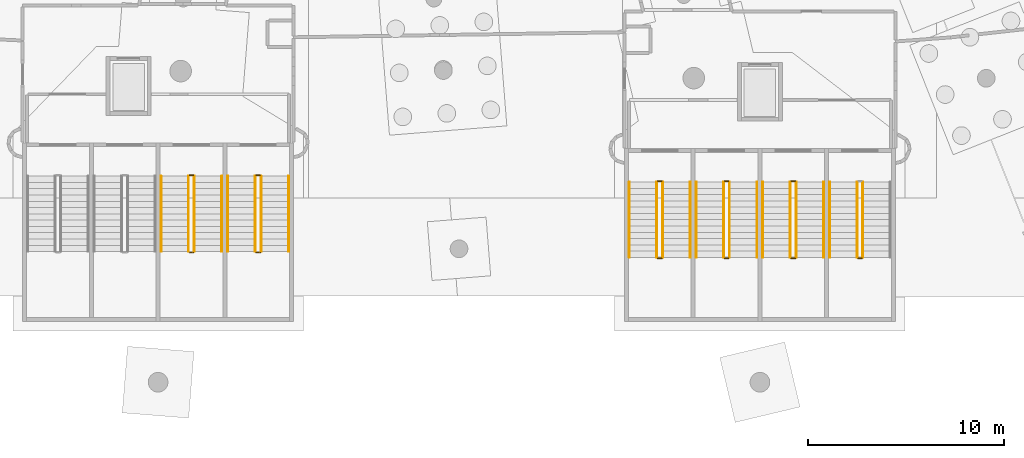
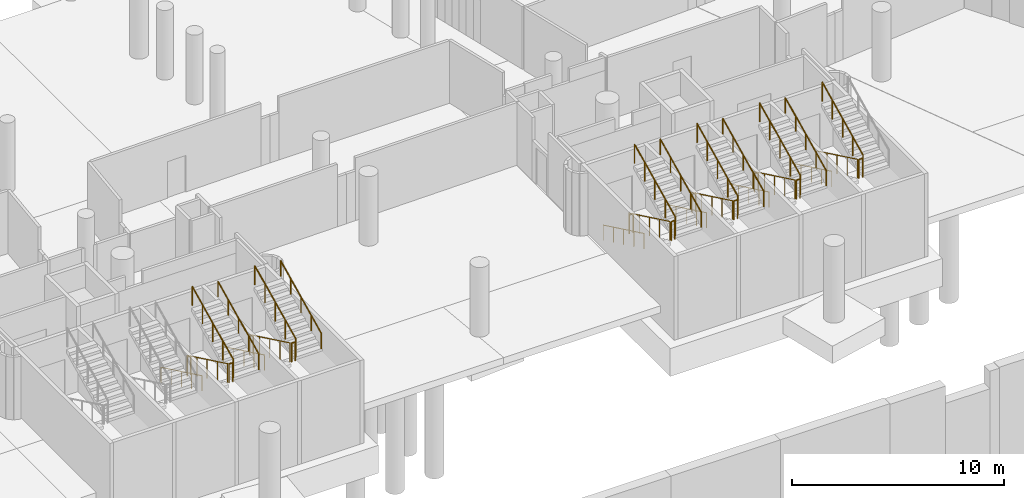
# One storey, part 118 of 142: 34 railings.
"""IFC4 building model written with IfcOpenShell, lengths in metres."""

from ifc_helpers import new_model, si_unit, direction, frame, origin, origin_2d, place, context, subcontext, project, spatial, circle, extrude, material, type_object, element, save


model = new_model("IFC4")

# Units and contexts
model_context = context("Model", 3, precision=1e-05, world=origin(), true_north=direction((0.0, 1.0)))
body_context = subcontext(model_context, "Body", "Model", "MODEL_VIEW")
ifc_project = project(units=[si_unit("LENGTHUNIT", "METRE"), si_unit("AREAUNIT", "SQUARE_METRE"), si_unit("VOLUMEUNIT", "CUBIC_METRE"), si_unit("PLANEANGLEUNIT", "RADIAN"), si_unit("MASSUNIT", "GRAM", prefix="KILO")], contexts=[model_context])

# Site, building, storey
site_placement = place(None, origin())
site = spatial("IfcSite", under=ifc_project, at=site_placement, CompositionType="ELEMENT")
building_placement = place(site_placement, origin())
building = spatial("IfcBuilding", under=site, at=building_placement, Name="Meseta Stadium", CompositionType="ELEMENT")
storey_placement = place(building_placement, frame((0.0, 0.0, -4.0)))
storey = spatial("IfcBuildingStorey", under=building, at=storey_placement, Name="B1", CompositionType="ELEMENT", Elevation=-4.0)

# Railings
ifc_material_1 = material(Name="Steel S355", Category="steel")
railing_type_1 = type_object("IfcRailingType", Name="Stair guard 1100", PredefinedType="GUARDRAIL", material=ifc_material_1)
railing_1_placement = place(storey_placement, frame((-6.11669921875, -94.89990234375, 0.15380859375)))
element("IfcRailing", 1, at=railing_1_placement, inside=storey, type_object=railing_type_1, Name="ST95 B1 guard 1", PredefinedType="GUARDRAIL", context=body_context, shape_type="SweptSolid", body=[
    extrude(circle(Radius=0.02392578125, at=origin_2d()), frame((0.0, 0.0, 1.076171875), z_axis=(0.0, -0.901252854825, 0.433293539843), x_axis=(1.0, 0.0, 0.0)), (0.0, 0.0, 1.0), 4.2607421875),
    extrude(circle(Radius=0.02099609375, at=origin_2d()), origin(), (0.0, 0.0, 1.0), 1.052001953125),
    extrude(circle(Radius=0.02099609375, at=origin_2d()), frame((0.0, -0.9599609375, 0.46142578125)), (0.0, 0.0, 1.0), 1.052001953125),
    extrude(circle(Radius=0.02099609375, at=origin_2d()), frame((0.0, -1.919921875, 0.923095703125)), (0.0, 0.0, 1.0), 1.052001953125),
    extrude(circle(Radius=0.02099609375, at=origin_2d()), frame((0.0, -2.880126953125, 1.384765625)), (0.0, 0.0, 1.0), 1.052001953125),
    extrude(circle(Radius=0.02099609375, at=origin_2d()), frame((0.0, -3.840087890625, 1.84619140625)), (0.0, 0.0, 1.0), 1.052001953125),
])
railing_2_placement = place(storey_placement, frame((-6.066650390625, -98.7900390625, 2.0)))
element("IfcRailing", 2, at=railing_2_placement, inside=storey, type_object=railing_type_1, Name="ST95 B1 guard 2", PredefinedType="GUARDRAIL", context=body_context, shape_type="SweptSolid", body=[
    extrude(circle(Radius=0.02392578125, at=origin_2d()), frame((0.0, 0.0, 1.076171875), z_axis=(1.0, 0.0, 0.0), x_axis=(0.0, 1.0, 0.0)), (0.0, 0.0, 1.0), 0.199951171875),
    extrude(circle(Radius=0.02099609375, at=origin_2d()), origin(), (0.0, 0.0, 1.0), 1.052001953125),
    extrude(circle(Radius=0.02099609375, at=origin_2d()), frame((0.199951171875, 0.0, 0.0)), (0.0, 0.0, 1.0), 1.052001953125),
])
railing_3_placement = place(storey_placement, frame((-5.816650390625, -98.739990234375, 2.15380859375)))
element("IfcRailing", 3, at=railing_3_placement, inside=storey, type_object=railing_type_1, Name="ST95 B1 guard 3", PredefinedType="GUARDRAIL", context=body_context, shape_type="SweptSolid", body=[
    extrude(circle(Radius=0.02392578125, at=origin_2d()), frame((0.0, 0.0, 1.076171875), z_axis=(0.0, 0.901252854825, 0.433293539843), x_axis=(-1.0, 0.0, 0.0)), (0.0, 0.0, 1.0), 4.2607421875),
    extrude(circle(Radius=0.02099609375, at=origin_2d()), origin(), (0.0, 0.0, 1.0), 1.052001953125),
    extrude(circle(Radius=0.02099609375, at=origin_2d()), frame((0.0, 0.9599609375, 0.46142578125)), (0.0, 0.0, 1.0), 1.052001953125),
    extrude(circle(Radius=0.02099609375, at=origin_2d()), frame((0.0, 1.919921875, 0.923095703125)), (0.0, 0.0, 1.0), 1.052001953125),
    extrude(circle(Radius=0.02099609375, at=origin_2d()), frame((0.0, 2.880126953125, 1.384765625)), (0.0, 0.0, 1.0), 1.052001953125),
    extrude(circle(Radius=0.02099609375, at=origin_2d()), frame((0.0, 3.840087890625, 1.84619140625)), (0.0, 0.0, 1.0), 1.052001953125),
])
railing_4_placement = place(storey_placement, frame((-6.066650390625, -94.85009765625, 0.0)))
element("IfcRailing", 4, at=railing_4_placement, inside=storey, type_object=railing_type_1, Name="ST95 B1 guard 4", PredefinedType="GUARDRAIL", context=body_context, shape_type="SweptSolid", body=[
    extrude(circle(Radius=0.02392578125, at=origin_2d()), frame((0.0, 0.0, 1.076171875), z_axis=(1.0, 0.0, 0.0), x_axis=(0.0, 1.0, 0.0)), (0.0, 0.0, 1.0), 0.199951171875),
    extrude(circle(Radius=0.02099609375, at=origin_2d()), origin(), (0.0, 0.0, 1.0), 1.052001953125),
    extrude(circle(Radius=0.02099609375, at=origin_2d()), frame((0.199951171875, 0.0, 0.0)), (0.0, 0.0, 1.0), 1.052001953125),
])
railing_5_placement = place(storey_placement, frame((-2.716552734375, -94.89990234375, 0.15380859375)))
element("IfcRailing", 5, at=railing_5_placement, inside=storey, type_object=railing_type_1, Name="ST96 B1 guard 1", PredefinedType="GUARDRAIL", context=body_context, shape_type="SweptSolid", body=[
    extrude(circle(Radius=0.02392578125, at=origin_2d()), frame((0.0, 0.0, 1.076171875), z_axis=(0.0, -0.901252854825, 0.433293539843), x_axis=(1.0, 0.0, 0.0)), (0.0, 0.0, 1.0), 4.2607421875),
    extrude(circle(Radius=0.02099609375, at=origin_2d()), origin(), (0.0, 0.0, 1.0), 1.052001953125),
    extrude(circle(Radius=0.02099609375, at=origin_2d()), frame((0.0, -0.9599609375, 0.46142578125)), (0.0, 0.0, 1.0), 1.052001953125),
    extrude(circle(Radius=0.02099609375, at=origin_2d()), frame((0.0, -1.919921875, 0.923095703125)), (0.0, 0.0, 1.0), 1.052001953125),
    extrude(circle(Radius=0.02099609375, at=origin_2d()), frame((0.0, -2.880126953125, 1.384765625)), (0.0, 0.0, 1.0), 1.052001953125),
    extrude(circle(Radius=0.02099609375, at=origin_2d()), frame((0.0, -3.840087890625, 1.84619140625)), (0.0, 0.0, 1.0), 1.052001953125),
])
railing_6_placement = place(storey_placement, frame((-2.666748046875, -98.7900390625, 2.0)))
element("IfcRailing", 6, at=railing_6_placement, inside=storey, type_object=railing_type_1, Name="ST96 B1 guard 2", PredefinedType="GUARDRAIL", context=body_context, shape_type="SweptSolid", body=[
    extrude(circle(Radius=0.02392578125, at=origin_2d()), frame((0.0, 0.0, 1.076171875), z_axis=(1.0, 0.0, 0.0), x_axis=(0.0, 1.0, 0.0)), (0.0, 0.0, 1.0), 0.2001953125),
    extrude(circle(Radius=0.02099609375, at=origin_2d()), origin(), (0.0, 0.0, 1.0), 1.052001953125),
    extrude(circle(Radius=0.02099609375, at=origin_2d()), frame((0.2001953125, 0.0, 0.0)), (0.0, 0.0, 1.0), 1.052001953125),
])
railing_7_placement = place(storey_placement, frame((-2.416748046875, -98.739990234375, 2.15380859375)))
element("IfcRailing", 7, at=railing_7_placement, inside=storey, type_object=railing_type_1, Name="ST96 B1 guard 3", PredefinedType="GUARDRAIL", context=body_context, shape_type="SweptSolid", body=[
    extrude(circle(Radius=0.02392578125, at=origin_2d()), frame((0.0, 0.0, 1.076171875), z_axis=(0.0, 0.901252854825, 0.433293539843), x_axis=(-1.0, 0.0, 0.0)), (0.0, 0.0, 1.0), 4.2607421875),
    extrude(circle(Radius=0.02099609375, at=origin_2d()), origin(), (0.0, 0.0, 1.0), 1.052001953125),
    extrude(circle(Radius=0.02099609375, at=origin_2d()), frame((0.0, 0.9599609375, 0.46142578125)), (0.0, 0.0, 1.0), 1.052001953125),
    extrude(circle(Radius=0.02099609375, at=origin_2d()), frame((0.0, 1.919921875, 0.923095703125)), (0.0, 0.0, 1.0), 1.052001953125),
    extrude(circle(Radius=0.02099609375, at=origin_2d()), frame((0.0, 2.880126953125, 1.384765625)), (0.0, 0.0, 1.0), 1.052001953125),
    extrude(circle(Radius=0.02099609375, at=origin_2d()), frame((0.0, 3.840087890625, 1.84619140625)), (0.0, 0.0, 1.0), 1.052001953125),
])
railing_8_placement = place(storey_placement, frame((-2.666748046875, -94.85009765625, 0.0)))
element("IfcRailing", 8, at=railing_8_placement, inside=storey, type_object=railing_type_1, Name="ST96 B1 guard 4", PredefinedType="GUARDRAIL", context=body_context, shape_type="SweptSolid", body=[
    extrude(circle(Radius=0.02392578125, at=origin_2d()), frame((0.0, 0.0, 1.076171875), z_axis=(1.0, 0.0, 0.0), x_axis=(0.0, 1.0, 0.0)), (0.0, 0.0, 1.0), 0.2001953125),
    extrude(circle(Radius=0.02099609375, at=origin_2d()), origin(), (0.0, 0.0, 1.0), 1.052001953125),
    extrude(circle(Radius=0.02099609375, at=origin_2d()), frame((0.2001953125, 0.0, 0.0)), (0.0, 0.0, 1.0), 1.052001953125),
])
railing_9_placement = place(storey_placement, frame((17.75, -95.199951171875, 0.15380859375)))
element("IfcRailing", 9, at=railing_9_placement, inside=storey, type_object=railing_type_1, Name="ST97 B1 guard 1", PredefinedType="GUARDRAIL", context=body_context, shape_type="SweptSolid", body=[
    extrude(circle(Radius=0.02392578125, at=origin_2d()), frame((0.0, 0.0, 1.076171875), z_axis=(0.0, -0.901252854825, 0.433293539843), x_axis=(1.0, 0.0, 0.0)), (0.0, 0.0, 1.0), 4.2607421875),
    extrude(circle(Radius=0.02099609375, at=origin_2d()), origin(), (0.0, 0.0, 1.0), 1.052001953125),
    extrude(circle(Radius=0.02099609375, at=origin_2d()), frame((0.0, -0.9599609375, 0.46142578125)), (0.0, 0.0, 1.0), 1.052001953125),
    extrude(circle(Radius=0.02099609375, at=origin_2d()), frame((0.0, -1.919921875, 0.923095703125)), (0.0, 0.0, 1.0), 1.052001953125),
    extrude(circle(Radius=0.02099609375, at=origin_2d()), frame((0.0, -2.880126953125, 1.384765625)), (0.0, 0.0, 1.0), 1.052001953125),
    extrude(circle(Radius=0.02099609375, at=origin_2d()), frame((0.0, -3.840087890625, 1.84619140625)), (0.0, 0.0, 1.0), 1.052001953125),
])
railing_10_placement = place(storey_placement, frame((17.800048828125, -99.090087890625, 2.0)))
element("IfcRailing", 10, at=railing_10_placement, inside=storey, type_object=railing_type_1, Name="ST97 B1 guard 2", PredefinedType="GUARDRAIL", context=body_context, shape_type="SweptSolid", body=[
    extrude(circle(Radius=0.02392578125, at=origin_2d()), frame((0.0, 0.0, 1.076171875), z_axis=(1.0, 0.0, 0.0), x_axis=(0.0, 1.0, 0.0)), (0.0, 0.0, 1.0), 0.199951171875),
    extrude(circle(Radius=0.02099609375, at=origin_2d()), origin(), (0.0, 0.0, 1.0), 1.052001953125),
    extrude(circle(Radius=0.02099609375, at=origin_2d()), frame((0.199951171875, 0.0, 0.0)), (0.0, 0.0, 1.0), 1.052001953125),
])
railing_11_placement = place(storey_placement, frame((18.050048828125, -99.0400390625, 2.15380859375)))
element("IfcRailing", 11, at=railing_11_placement, inside=storey, type_object=railing_type_1, Name="ST97 B1 guard 3", PredefinedType="GUARDRAIL", context=body_context, shape_type="SweptSolid", body=[
    extrude(circle(Radius=0.02392578125, at=origin_2d()), frame((0.0, 0.0, 1.076171875), z_axis=(0.0, 0.901252854825, 0.433293539843), x_axis=(-1.0, 0.0, 0.0)), (0.0, 0.0, 1.0), 4.2607421875),
    extrude(circle(Radius=0.02099609375, at=origin_2d()), origin(), (0.0, 0.0, 1.0), 1.052001953125),
    extrude(circle(Radius=0.02099609375, at=origin_2d()), frame((0.0, 0.9599609375, 0.46142578125)), (0.0, 0.0, 1.0), 1.052001953125),
    extrude(circle(Radius=0.02099609375, at=origin_2d()), frame((0.0, 1.919921875, 0.923095703125)), (0.0, 0.0, 1.0), 1.052001953125),
    extrude(circle(Radius=0.02099609375, at=origin_2d()), frame((0.0, 2.880126953125, 1.384765625)), (0.0, 0.0, 1.0), 1.052001953125),
    extrude(circle(Radius=0.02099609375, at=origin_2d()), frame((0.0, 3.840087890625, 1.84619140625)), (0.0, 0.0, 1.0), 1.052001953125),
])
railing_12_placement = place(storey_placement, frame((17.800048828125, -95.14990234375, 0.0)))
element("IfcRailing", 12, at=railing_12_placement, inside=storey, type_object=railing_type_1, Name="ST97 B1 guard 4", PredefinedType="GUARDRAIL", context=body_context, shape_type="SweptSolid", body=[
    extrude(circle(Radius=0.02392578125, at=origin_2d()), frame((0.0, 0.0, 1.076171875), z_axis=(1.0, 0.0, 0.0), x_axis=(0.0, 1.0, 0.0)), (0.0, 0.0, 1.0), 0.199951171875),
    extrude(circle(Radius=0.02099609375, at=origin_2d()), origin(), (0.0, 0.0, 1.0), 1.052001953125),
    extrude(circle(Radius=0.02099609375, at=origin_2d()), frame((0.199951171875, 0.0, 0.0)), (0.0, 0.0, 1.0), 1.052001953125),
])
railing_13_placement = place(storey_placement, frame((21.14990234375, -95.199951171875, 0.15380859375)))
element("IfcRailing", 13, at=railing_13_placement, inside=storey, type_object=railing_type_1, Name="ST98 B1 guard 1", PredefinedType="GUARDRAIL", context=body_context, shape_type="SweptSolid", body=[
    extrude(circle(Radius=0.02392578125, at=origin_2d()), frame((0.0, 0.0, 1.076171875), z_axis=(0.0, -0.901252854825, 0.433293539843), x_axis=(1.0, 0.0, 0.0)), (0.0, 0.0, 1.0), 4.2607421875),
    extrude(circle(Radius=0.02099609375, at=origin_2d()), origin(), (0.0, 0.0, 1.0), 1.052001953125),
    extrude(circle(Radius=0.02099609375, at=origin_2d()), frame((0.0, -0.9599609375, 0.46142578125)), (0.0, 0.0, 1.0), 1.052001953125),
    extrude(circle(Radius=0.02099609375, at=origin_2d()), frame((0.0, -1.919921875, 0.923095703125)), (0.0, 0.0, 1.0), 1.052001953125),
    extrude(circle(Radius=0.02099609375, at=origin_2d()), frame((0.0, -2.880126953125, 1.384765625)), (0.0, 0.0, 1.0), 1.052001953125),
    extrude(circle(Radius=0.02099609375, at=origin_2d()), frame((0.0, -3.840087890625, 1.84619140625)), (0.0, 0.0, 1.0), 1.052001953125),
])
railing_14_placement = place(storey_placement, frame((21.199951171875, -99.090087890625, 2.0)))
element("IfcRailing", 14, at=railing_14_placement, inside=storey, type_object=railing_type_1, Name="ST98 B1 guard 2", PredefinedType="GUARDRAIL", context=body_context, shape_type="SweptSolid", body=[
    extrude(circle(Radius=0.02392578125, at=origin_2d()), frame((0.0, 0.0, 1.076171875), z_axis=(1.0, 0.0, 0.0), x_axis=(0.0, 1.0, 0.0)), (0.0, 0.0, 1.0), 0.199951171875),
    extrude(circle(Radius=0.02099609375, at=origin_2d()), origin(), (0.0, 0.0, 1.0), 1.052001953125),
    extrude(circle(Radius=0.02099609375, at=origin_2d()), frame((0.199951171875, 0.0, 0.0)), (0.0, 0.0, 1.0), 1.052001953125),
])
railing_15_placement = place(storey_placement, frame((21.449951171875, -99.0400390625, 2.15380859375)))
element("IfcRailing", 15, at=railing_15_placement, inside=storey, type_object=railing_type_1, Name="ST98 B1 guard 3", PredefinedType="GUARDRAIL", context=body_context, shape_type="SweptSolid", body=[
    extrude(circle(Radius=0.02392578125, at=origin_2d()), frame((0.0, 0.0, 1.076171875), z_axis=(0.0, 0.901252854825, 0.433293539843), x_axis=(-1.0, 0.0, 0.0)), (0.0, 0.0, 1.0), 4.2607421875),
    extrude(circle(Radius=0.02099609375, at=origin_2d()), origin(), (0.0, 0.0, 1.0), 1.052001953125),
    extrude(circle(Radius=0.02099609375, at=origin_2d()), frame((0.0, 0.9599609375, 0.46142578125)), (0.0, 0.0, 1.0), 1.052001953125),
    extrude(circle(Radius=0.02099609375, at=origin_2d()), frame((0.0, 1.919921875, 0.923095703125)), (0.0, 0.0, 1.0), 1.052001953125),
    extrude(circle(Radius=0.02099609375, at=origin_2d()), frame((0.0, 2.880126953125, 1.384765625)), (0.0, 0.0, 1.0), 1.052001953125),
    extrude(circle(Radius=0.02099609375, at=origin_2d()), frame((0.0, 3.840087890625, 1.84619140625)), (0.0, 0.0, 1.0), 1.052001953125),
])
railing_16_placement = place(storey_placement, frame((21.199951171875, -95.14990234375, 0.0)))
element("IfcRailing", 16, at=railing_16_placement, inside=storey, type_object=railing_type_1, Name="ST98 B1 guard 4", PredefinedType="GUARDRAIL", context=body_context, shape_type="SweptSolid", body=[
    extrude(circle(Radius=0.02392578125, at=origin_2d()), frame((0.0, 0.0, 1.076171875), z_axis=(1.0, 0.0, 0.0), x_axis=(0.0, 1.0, 0.0)), (0.0, 0.0, 1.0), 0.199951171875),
    extrude(circle(Radius=0.02099609375, at=origin_2d()), origin(), (0.0, 0.0, 1.0), 1.052001953125),
    extrude(circle(Radius=0.02099609375, at=origin_2d()), frame((0.199951171875, 0.0, 0.0)), (0.0, 0.0, 1.0), 1.052001953125),
])
railing_17_placement = place(storey_placement, frame((24.550048828125, -95.199951171875, 0.15380859375)))
element("IfcRailing", 17, at=railing_17_placement, inside=storey, type_object=railing_type_1, Name="ST99 B1 guard 1", PredefinedType="GUARDRAIL", context=body_context, shape_type="SweptSolid", body=[
    extrude(circle(Radius=0.02392578125, at=origin_2d()), frame((0.0, 0.0, 1.076171875), z_axis=(0.0, -0.901252854825, 0.433293539843), x_axis=(1.0, 0.0, 0.0)), (0.0, 0.0, 1.0), 4.2607421875),
    extrude(circle(Radius=0.02099609375, at=origin_2d()), origin(), (0.0, 0.0, 1.0), 1.052001953125),
    extrude(circle(Radius=0.02099609375, at=origin_2d()), frame((0.0, -0.9599609375, 0.46142578125)), (0.0, 0.0, 1.0), 1.052001953125),
    extrude(circle(Radius=0.02099609375, at=origin_2d()), frame((0.0, -1.919921875, 0.923095703125)), (0.0, 0.0, 1.0), 1.052001953125),
    extrude(circle(Radius=0.02099609375, at=origin_2d()), frame((0.0, -2.880126953125, 1.384765625)), (0.0, 0.0, 1.0), 1.052001953125),
    extrude(circle(Radius=0.02099609375, at=origin_2d()), frame((0.0, -3.840087890625, 1.84619140625)), (0.0, 0.0, 1.0), 1.052001953125),
])
railing_18_placement = place(storey_placement, frame((24.60009765625, -99.090087890625, 2.0)))
element("IfcRailing", 18, at=railing_18_placement, inside=storey, type_object=railing_type_1, Name="ST99 B1 guard 2", PredefinedType="GUARDRAIL", context=body_context, shape_type="SweptSolid", body=[
    extrude(circle(Radius=0.02392578125, at=origin_2d()), frame((0.0, 0.0, 1.076171875), z_axis=(1.0, 0.0, 0.0), x_axis=(0.0, 1.0, 0.0)), (0.0, 0.0, 1.0), 0.199951171875),
    extrude(circle(Radius=0.02099609375, at=origin_2d()), origin(), (0.0, 0.0, 1.0), 1.052001953125),
    extrude(circle(Radius=0.02099609375, at=origin_2d()), frame((0.199951171875, 0.0, 0.0)), (0.0, 0.0, 1.0), 1.052001953125),
])
railing_19_placement = place(storey_placement, frame((24.85009765625, -99.0400390625, 2.15380859375)))
element("IfcRailing", 19, at=railing_19_placement, inside=storey, type_object=railing_type_1, Name="ST99 B1 guard 3", PredefinedType="GUARDRAIL", context=body_context, shape_type="SweptSolid", body=[
    extrude(circle(Radius=0.02392578125, at=origin_2d()), frame((0.0, 0.0, 1.076171875), z_axis=(0.0, 0.901252854825, 0.433293539843), x_axis=(-1.0, 0.0, 0.0)), (0.0, 0.0, 1.0), 4.2607421875),
    extrude(circle(Radius=0.02099609375, at=origin_2d()), origin(), (0.0, 0.0, 1.0), 1.052001953125),
    extrude(circle(Radius=0.02099609375, at=origin_2d()), frame((0.0, 0.9599609375, 0.46142578125)), (0.0, 0.0, 1.0), 1.052001953125),
    extrude(circle(Radius=0.02099609375, at=origin_2d()), frame((0.0, 1.919921875, 0.923095703125)), (0.0, 0.0, 1.0), 1.052001953125),
    extrude(circle(Radius=0.02099609375, at=origin_2d()), frame((0.0, 2.880126953125, 1.384765625)), (0.0, 0.0, 1.0), 1.052001953125),
    extrude(circle(Radius=0.02099609375, at=origin_2d()), frame((0.0, 3.840087890625, 1.84619140625)), (0.0, 0.0, 1.0), 1.052001953125),
])
railing_20_placement = place(storey_placement, frame((24.60009765625, -95.14990234375, 0.0)))
element("IfcRailing", 20, at=railing_20_placement, inside=storey, type_object=railing_type_1, Name="ST99 B1 guard 4", PredefinedType="GUARDRAIL", context=body_context, shape_type="SweptSolid", body=[
    extrude(circle(Radius=0.02392578125, at=origin_2d()), frame((0.0, 0.0, 1.076171875), z_axis=(1.0, 0.0, 0.0), x_axis=(0.0, 1.0, 0.0)), (0.0, 0.0, 1.0), 0.199951171875),
    extrude(circle(Radius=0.02099609375, at=origin_2d()), origin(), (0.0, 0.0, 1.0), 1.052001953125),
    extrude(circle(Radius=0.02099609375, at=origin_2d()), frame((0.199951171875, 0.0, 0.0)), (0.0, 0.0, 1.0), 1.052001953125),
])
railing_21_placement = place(storey_placement, frame((27.949951171875, -95.199951171875, 0.15380859375)))
element("IfcRailing", 21, at=railing_21_placement, inside=storey, type_object=railing_type_1, Name="ST100 B1 guard 1", PredefinedType="GUARDRAIL", context=body_context, shape_type="SweptSolid", body=[
    extrude(circle(Radius=0.02392578125, at=origin_2d()), frame((0.0, 0.0, 1.076171875), z_axis=(0.0, -0.901252854825, 0.433293539843), x_axis=(1.0, 0.0, 0.0)), (0.0, 0.0, 1.0), 4.2607421875),
    extrude(circle(Radius=0.02099609375, at=origin_2d()), origin(), (0.0, 0.0, 1.0), 1.052001953125),
    extrude(circle(Radius=0.02099609375, at=origin_2d()), frame((0.0, -0.9599609375, 0.46142578125)), (0.0, 0.0, 1.0), 1.052001953125),
    extrude(circle(Radius=0.02099609375, at=origin_2d()), frame((0.0, -1.919921875, 0.923095703125)), (0.0, 0.0, 1.0), 1.052001953125),
    extrude(circle(Radius=0.02099609375, at=origin_2d()), frame((0.0, -2.880126953125, 1.384765625)), (0.0, 0.0, 1.0), 1.052001953125),
    extrude(circle(Radius=0.02099609375, at=origin_2d()), frame((0.0, -3.840087890625, 1.84619140625)), (0.0, 0.0, 1.0), 1.052001953125),
])
railing_22_placement = place(storey_placement, frame((28.0, -99.090087890625, 2.0)))
element("IfcRailing", 22, at=railing_22_placement, inside=storey, type_object=railing_type_1, Name="ST100 B1 guard 2", PredefinedType="GUARDRAIL", context=body_context, shape_type="SweptSolid", body=[
    extrude(circle(Radius=0.02392578125, at=origin_2d()), frame((0.0, 0.0, 1.076171875), z_axis=(1.0, 0.0, 0.0), x_axis=(0.0, 1.0, 0.0)), (0.0, 0.0, 1.0), 0.199951171875),
    extrude(circle(Radius=0.02099609375, at=origin_2d()), origin(), (0.0, 0.0, 1.0), 1.052001953125),
    extrude(circle(Radius=0.02099609375, at=origin_2d()), frame((0.199951171875, 0.0, 0.0)), (0.0, 0.0, 1.0), 1.052001953125),
])
railing_23_placement = place(storey_placement, frame((28.25, -99.0400390625, 2.15380859375)))
element("IfcRailing", 23, at=railing_23_placement, inside=storey, type_object=railing_type_1, Name="ST100 B1 guard 3", PredefinedType="GUARDRAIL", context=body_context, shape_type="SweptSolid", body=[
    extrude(circle(Radius=0.02392578125, at=origin_2d()), frame((0.0, 0.0, 1.076171875), z_axis=(0.0, 0.901252854825, 0.433293539843), x_axis=(-1.0, 0.0, 0.0)), (0.0, 0.0, 1.0), 4.2607421875),
    extrude(circle(Radius=0.02099609375, at=origin_2d()), origin(), (0.0, 0.0, 1.0), 1.052001953125),
    extrude(circle(Radius=0.02099609375, at=origin_2d()), frame((0.0, 0.9599609375, 0.46142578125)), (0.0, 0.0, 1.0), 1.052001953125),
    extrude(circle(Radius=0.02099609375, at=origin_2d()), frame((0.0, 1.919921875, 0.923095703125)), (0.0, 0.0, 1.0), 1.052001953125),
    extrude(circle(Radius=0.02099609375, at=origin_2d()), frame((0.0, 2.880126953125, 1.384765625)), (0.0, 0.0, 1.0), 1.052001953125),
    extrude(circle(Radius=0.02099609375, at=origin_2d()), frame((0.0, 3.840087890625, 1.84619140625)), (0.0, 0.0, 1.0), 1.052001953125),
])
ifc_material_2 = material(Name="Steel S355", Category="steel")
railing_type_2 = type_object("IfcRailingType", Name="Stair handrail 900", PredefinedType="HANDRAIL", material=ifc_material_2)
railing_24_placement = place(storey_placement, frame((-7.5166015625, -94.89990234375, 0.15380859375)))
element("IfcRailing", 24, at=railing_24_placement, inside=storey, type_object=railing_type_2, Name="ST95 B1 handrail 1", PredefinedType="HANDRAIL", context=body_context, shape_type="SweptSolid", body=[
    extrude(circle(Radius=0.02392578125, at=origin_2d()), frame((0.0, 0.0, 0.8759765625), z_axis=(0.0, -0.901252854825, 0.433293539843), x_axis=(1.0, 0.0, 0.0)), (0.0, 0.0, 1.0), 4.2607421875),
    extrude(circle(Radius=0.02099609375, at=origin_2d()), origin(), (0.0, 0.0, 1.0), 0.851806640625),
    extrude(circle(Radius=0.02099609375, at=origin_2d()), frame((0.0, -0.9599609375, 0.46142578125)), (0.0, 0.0, 1.0), 0.851806640625),
    extrude(circle(Radius=0.02099609375, at=origin_2d()), frame((0.0, -1.919921875, 0.923095703125)), (0.0, 0.0, 1.0), 0.851806640625),
    extrude(circle(Radius=0.02099609375, at=origin_2d()), frame((0.0, -2.880126953125, 1.384765625)), (0.0, 0.0, 1.0), 0.851806640625),
    extrude(circle(Radius=0.02099609375, at=origin_2d()), frame((0.0, -3.840087890625, 1.84619140625)), (0.0, 0.0, 1.0), 0.851806640625),
])
railing_25_placement = place(storey_placement, frame((-4.416748046875, -98.739990234375, 2.15380859375)))
element("IfcRailing", 25, at=railing_25_placement, inside=storey, type_object=railing_type_2, Name="ST95 B1 handrail 2", PredefinedType="HANDRAIL", context=body_context, shape_type="SweptSolid", body=[
    extrude(circle(Radius=0.02392578125, at=origin_2d()), frame((0.0, 0.0, 0.8759765625), z_axis=(0.0, 0.901252854825, 0.433293539843), x_axis=(-1.0, 0.0, 0.0)), (0.0, 0.0, 1.0), 4.2607421875),
    extrude(circle(Radius=0.02099609375, at=origin_2d()), origin(), (0.0, 0.0, 1.0), 0.851806640625),
    extrude(circle(Radius=0.02099609375, at=origin_2d()), frame((0.0, 0.9599609375, 0.46142578125)), (0.0, 0.0, 1.0), 0.851806640625),
    extrude(circle(Radius=0.02099609375, at=origin_2d()), frame((0.0, 1.919921875, 0.923095703125)), (0.0, 0.0, 1.0), 0.851806640625),
    extrude(circle(Radius=0.02099609375, at=origin_2d()), frame((0.0, 2.880126953125, 1.384765625)), (0.0, 0.0, 1.0), 0.851806640625),
    extrude(circle(Radius=0.02099609375, at=origin_2d()), frame((0.0, 3.840087890625, 1.84619140625)), (0.0, 0.0, 1.0), 0.851806640625),
])
railing_26_placement = place(storey_placement, frame((-4.11669921875, -94.89990234375, 0.15380859375)))
element("IfcRailing", 26, at=railing_26_placement, inside=storey, type_object=railing_type_2, Name="ST96 B1 handrail 1", PredefinedType="HANDRAIL", context=body_context, shape_type="SweptSolid", body=[
    extrude(circle(Radius=0.02392578125, at=origin_2d()), frame((0.0, 0.0, 0.8759765625), z_axis=(0.0, -0.901252854825, 0.433293539843), x_axis=(1.0, 0.0, 0.0)), (0.0, 0.0, 1.0), 4.2607421875),
    extrude(circle(Radius=0.02099609375, at=origin_2d()), origin(), (0.0, 0.0, 1.0), 0.851806640625),
    extrude(circle(Radius=0.02099609375, at=origin_2d()), frame((0.0, -0.9599609375, 0.46142578125)), (0.0, 0.0, 1.0), 0.851806640625),
    extrude(circle(Radius=0.02099609375, at=origin_2d()), frame((0.0, -1.919921875, 0.923095703125)), (0.0, 0.0, 1.0), 0.851806640625),
    extrude(circle(Radius=0.02099609375, at=origin_2d()), frame((0.0, -2.880126953125, 1.384765625)), (0.0, 0.0, 1.0), 0.851806640625),
    extrude(circle(Radius=0.02099609375, at=origin_2d()), frame((0.0, -3.840087890625, 1.84619140625)), (0.0, 0.0, 1.0), 0.851806640625),
])
railing_27_placement = place(storey_placement, frame((-1.0166015625, -98.739990234375, 2.15380859375)))
element("IfcRailing", 27, at=railing_27_placement, inside=storey, type_object=railing_type_2, Name="ST96 B1 handrail 2", PredefinedType="HANDRAIL", context=body_context, shape_type="SweptSolid", body=[
    extrude(circle(Radius=0.02392578125, at=origin_2d()), frame((0.0, 0.0, 0.8759765625), z_axis=(0.0, 0.901252854825, 0.433293539843), x_axis=(-1.0, 0.0, 0.0)), (0.0, 0.0, 1.0), 4.2607421875),
    extrude(circle(Radius=0.02099609375, at=origin_2d()), origin(), (0.0, 0.0, 1.0), 0.851806640625),
    extrude(circle(Radius=0.02099609375, at=origin_2d()), frame((0.0, 0.9599609375, 0.46142578125)), (0.0, 0.0, 1.0), 0.851806640625),
    extrude(circle(Radius=0.02099609375, at=origin_2d()), frame((0.0, 1.919921875, 0.923095703125)), (0.0, 0.0, 1.0), 0.851806640625),
    extrude(circle(Radius=0.02099609375, at=origin_2d()), frame((0.0, 2.880126953125, 1.384765625)), (0.0, 0.0, 1.0), 0.851806640625),
    extrude(circle(Radius=0.02099609375, at=origin_2d()), frame((0.0, 3.840087890625, 1.84619140625)), (0.0, 0.0, 1.0), 0.851806640625),
])
railing_28_placement = place(storey_placement, frame((16.35009765625, -95.199951171875, 0.15380859375)))
element("IfcRailing", 28, at=railing_28_placement, inside=storey, type_object=railing_type_2, Name="ST97 B1 handrail 1", PredefinedType="HANDRAIL", context=body_context, shape_type="SweptSolid", body=[
    extrude(circle(Radius=0.02392578125, at=origin_2d()), frame((0.0, 0.0, 0.8759765625), z_axis=(0.0, -0.901252854825, 0.433293539843), x_axis=(1.0, 0.0, 0.0)), (0.0, 0.0, 1.0), 4.2607421875),
    extrude(circle(Radius=0.02099609375, at=origin_2d()), origin(), (0.0, 0.0, 1.0), 0.851806640625),
    extrude(circle(Radius=0.02099609375, at=origin_2d()), frame((0.0, -0.9599609375, 0.46142578125)), (0.0, 0.0, 1.0), 0.851806640625),
    extrude(circle(Radius=0.02099609375, at=origin_2d()), frame((0.0, -1.919921875, 0.923095703125)), (0.0, 0.0, 1.0), 0.851806640625),
    extrude(circle(Radius=0.02099609375, at=origin_2d()), frame((0.0, -2.880126953125, 1.384765625)), (0.0, 0.0, 1.0), 0.851806640625),
    extrude(circle(Radius=0.02099609375, at=origin_2d()), frame((0.0, -3.840087890625, 1.84619140625)), (0.0, 0.0, 1.0), 0.851806640625),
])
railing_29_placement = place(storey_placement, frame((19.449951171875, -99.0400390625, 2.15380859375)))
element("IfcRailing", 29, at=railing_29_placement, inside=storey, type_object=railing_type_2, Name="ST97 B1 handrail 2", PredefinedType="HANDRAIL", context=body_context, shape_type="SweptSolid", body=[
    extrude(circle(Radius=0.02392578125, at=origin_2d()), frame((0.0, 0.0, 0.8759765625), z_axis=(0.0, 0.901252854825, 0.433293539843), x_axis=(-1.0, 0.0, 0.0)), (0.0, 0.0, 1.0), 4.2607421875),
    extrude(circle(Radius=0.02099609375, at=origin_2d()), origin(), (0.0, 0.0, 1.0), 0.851806640625),
    extrude(circle(Radius=0.02099609375, at=origin_2d()), frame((0.0, 0.9599609375, 0.46142578125)), (0.0, 0.0, 1.0), 0.851806640625),
    extrude(circle(Radius=0.02099609375, at=origin_2d()), frame((0.0, 1.919921875, 0.923095703125)), (0.0, 0.0, 1.0), 0.851806640625),
    extrude(circle(Radius=0.02099609375, at=origin_2d()), frame((0.0, 2.880126953125, 1.384765625)), (0.0, 0.0, 1.0), 0.851806640625),
    extrude(circle(Radius=0.02099609375, at=origin_2d()), frame((0.0, 3.840087890625, 1.84619140625)), (0.0, 0.0, 1.0), 0.851806640625),
])
railing_30_placement = place(storey_placement, frame((19.75, -95.199951171875, 0.15380859375)))
element("IfcRailing", 30, at=railing_30_placement, inside=storey, type_object=railing_type_2, Name="ST98 B1 handrail 1", PredefinedType="HANDRAIL", context=body_context, shape_type="SweptSolid", body=[
    extrude(circle(Radius=0.02392578125, at=origin_2d()), frame((0.0, 0.0, 0.8759765625), z_axis=(0.0, -0.901252854825, 0.433293539843), x_axis=(1.0, 0.0, 0.0)), (0.0, 0.0, 1.0), 4.2607421875),
    extrude(circle(Radius=0.02099609375, at=origin_2d()), origin(), (0.0, 0.0, 1.0), 0.851806640625),
    extrude(circle(Radius=0.02099609375, at=origin_2d()), frame((0.0, -0.9599609375, 0.46142578125)), (0.0, 0.0, 1.0), 0.851806640625),
    extrude(circle(Radius=0.02099609375, at=origin_2d()), frame((0.0, -1.919921875, 0.923095703125)), (0.0, 0.0, 1.0), 0.851806640625),
    extrude(circle(Radius=0.02099609375, at=origin_2d()), frame((0.0, -2.880126953125, 1.384765625)), (0.0, 0.0, 1.0), 0.851806640625),
    extrude(circle(Radius=0.02099609375, at=origin_2d()), frame((0.0, -3.840087890625, 1.84619140625)), (0.0, 0.0, 1.0), 0.851806640625),
])
railing_31_placement = place(storey_placement, frame((22.85009765625, -99.0400390625, 2.15380859375)))
element("IfcRailing", 31, at=railing_31_placement, inside=storey, type_object=railing_type_2, Name="ST98 B1 handrail 2", PredefinedType="HANDRAIL", context=body_context, shape_type="SweptSolid", body=[
    extrude(circle(Radius=0.02392578125, at=origin_2d()), frame((0.0, 0.0, 0.8759765625), z_axis=(0.0, 0.901252854825, 0.433293539843), x_axis=(-1.0, 0.0, 0.0)), (0.0, 0.0, 1.0), 4.2607421875),
    extrude(circle(Radius=0.02099609375, at=origin_2d()), origin(), (0.0, 0.0, 1.0), 0.851806640625),
    extrude(circle(Radius=0.02099609375, at=origin_2d()), frame((0.0, 0.9599609375, 0.46142578125)), (0.0, 0.0, 1.0), 0.851806640625),
    extrude(circle(Radius=0.02099609375, at=origin_2d()), frame((0.0, 1.919921875, 0.923095703125)), (0.0, 0.0, 1.0), 0.851806640625),
    extrude(circle(Radius=0.02099609375, at=origin_2d()), frame((0.0, 2.880126953125, 1.384765625)), (0.0, 0.0, 1.0), 0.851806640625),
    extrude(circle(Radius=0.02099609375, at=origin_2d()), frame((0.0, 3.840087890625, 1.84619140625)), (0.0, 0.0, 1.0), 0.851806640625),
])
railing_32_placement = place(storey_placement, frame((23.14990234375, -95.199951171875, 0.15380859375)))
element("IfcRailing", 32, at=railing_32_placement, inside=storey, type_object=railing_type_2, Name="ST99 B1 handrail 1", PredefinedType="HANDRAIL", context=body_context, shape_type="SweptSolid", body=[
    extrude(circle(Radius=0.02392578125, at=origin_2d()), frame((0.0, 0.0, 0.8759765625), z_axis=(0.0, -0.901252854825, 0.433293539843), x_axis=(1.0, 0.0, 0.0)), (0.0, 0.0, 1.0), 4.2607421875),
    extrude(circle(Radius=0.02099609375, at=origin_2d()), origin(), (0.0, 0.0, 1.0), 0.851806640625),
    extrude(circle(Radius=0.02099609375, at=origin_2d()), frame((0.0, -0.9599609375, 0.46142578125)), (0.0, 0.0, 1.0), 0.851806640625),
    extrude(circle(Radius=0.02099609375, at=origin_2d()), frame((0.0, -1.919921875, 0.923095703125)), (0.0, 0.0, 1.0), 0.851806640625),
    extrude(circle(Radius=0.02099609375, at=origin_2d()), frame((0.0, -2.880126953125, 1.384765625)), (0.0, 0.0, 1.0), 0.851806640625),
    extrude(circle(Radius=0.02099609375, at=origin_2d()), frame((0.0, -3.840087890625, 1.84619140625)), (0.0, 0.0, 1.0), 0.851806640625),
])
railing_33_placement = place(storey_placement, frame((26.25, -99.0400390625, 2.15380859375)))
element("IfcRailing", 33, at=railing_33_placement, inside=storey, type_object=railing_type_2, Name="ST99 B1 handrail 2", PredefinedType="HANDRAIL", context=body_context, shape_type="SweptSolid", body=[
    extrude(circle(Radius=0.02392578125, at=origin_2d()), frame((0.0, 0.0, 0.8759765625), z_axis=(0.0, 0.901252854825, 0.433293539843), x_axis=(-1.0, 0.0, 0.0)), (0.0, 0.0, 1.0), 4.2607421875),
    extrude(circle(Radius=0.02099609375, at=origin_2d()), origin(), (0.0, 0.0, 1.0), 0.851806640625),
    extrude(circle(Radius=0.02099609375, at=origin_2d()), frame((0.0, 0.9599609375, 0.46142578125)), (0.0, 0.0, 1.0), 0.851806640625),
    extrude(circle(Radius=0.02099609375, at=origin_2d()), frame((0.0, 1.919921875, 0.923095703125)), (0.0, 0.0, 1.0), 0.851806640625),
    extrude(circle(Radius=0.02099609375, at=origin_2d()), frame((0.0, 2.880126953125, 1.384765625)), (0.0, 0.0, 1.0), 0.851806640625),
    extrude(circle(Radius=0.02099609375, at=origin_2d()), frame((0.0, 3.840087890625, 1.84619140625)), (0.0, 0.0, 1.0), 0.851806640625),
])
railing_34_placement = place(storey_placement, frame((26.550048828125, -95.199951171875, 0.15380859375)))
element("IfcRailing", 34, at=railing_34_placement, inside=storey, type_object=railing_type_2, Name="ST100 B1 handrail 1", PredefinedType="HANDRAIL", context=body_context, shape_type="SweptSolid", body=[
    extrude(circle(Radius=0.02392578125, at=origin_2d()), frame((0.0, 0.0, 0.8759765625), z_axis=(0.0, -0.901252854825, 0.433293539843), x_axis=(1.0, 0.0, 0.0)), (0.0, 0.0, 1.0), 4.2607421875),
    extrude(circle(Radius=0.02099609375, at=origin_2d()), origin(), (0.0, 0.0, 1.0), 0.851806640625),
    extrude(circle(Radius=0.02099609375, at=origin_2d()), frame((0.0, -0.9599609375, 0.46142578125)), (0.0, 0.0, 1.0), 0.851806640625),
    extrude(circle(Radius=0.02099609375, at=origin_2d()), frame((0.0, -1.919921875, 0.923095703125)), (0.0, 0.0, 1.0), 0.851806640625),
    extrude(circle(Radius=0.02099609375, at=origin_2d()), frame((0.0, -2.880126953125, 1.384765625)), (0.0, 0.0, 1.0), 0.851806640625),
    extrude(circle(Radius=0.02099609375, at=origin_2d()), frame((0.0, -3.840087890625, 1.84619140625)), (0.0, 0.0, 1.0), 0.851806640625),
])

save(model, "model.ifc")
